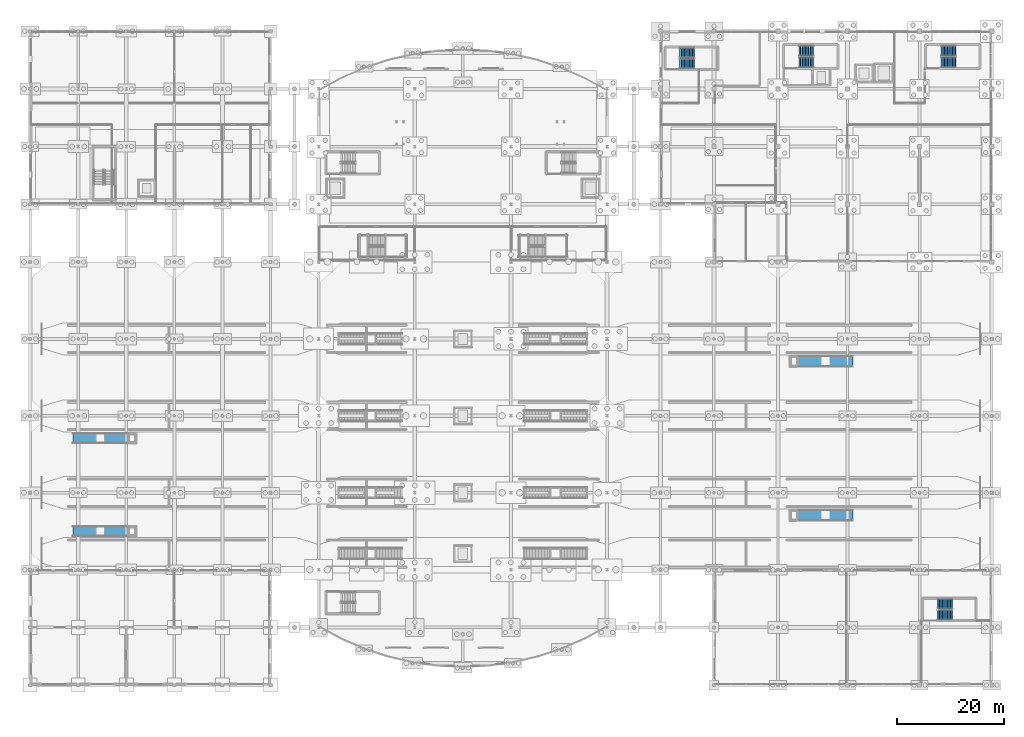
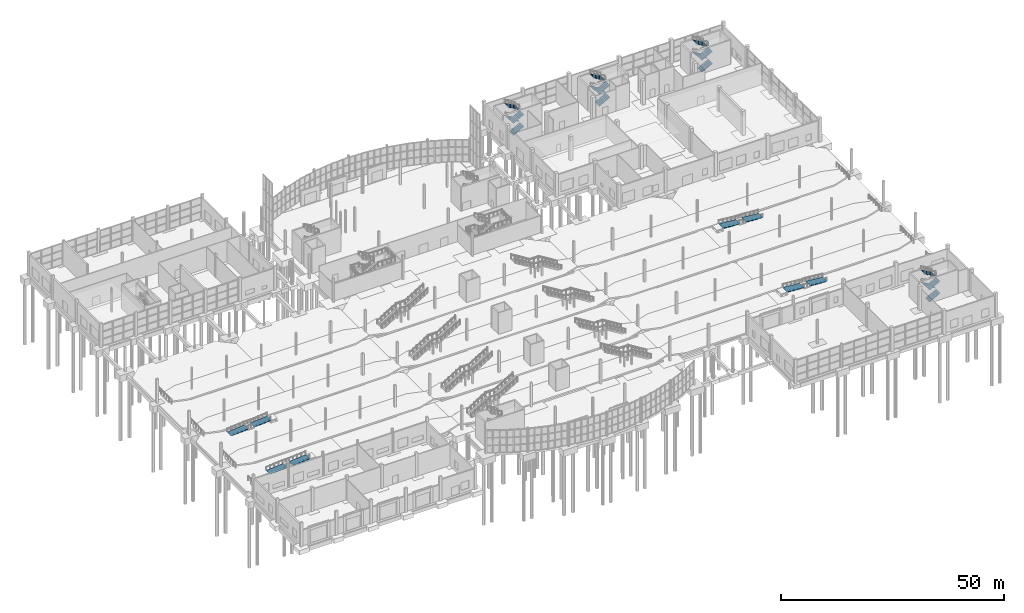
# One storey, part 98 of 115: 16 stair flights, 8 ramp flights, 8 elements without a shape of their own.
"""IFC4 building model written with IfcOpenShell, lengths in metres."""

import ifcopenshell
import ifcopenshell.guid

model = None  # the IFC model being written
_history = None  # IfcOwnerHistory: only IFC2X3 demands one
_inside = {}  # id of a spatial element -> (the spatial element, [elements in it])
_under = {}  # id of a project, library or spatial element -> (it, [spatial elements below it])
_declared = {}  # id of a project -> (the project, [libraries it declares])
_typed = {}  # id of a type object -> (the type object, [elements of that type])
_made_of = {}  # id of a material, layer set ... -> (it, [elements and type objects made of it])


def new_model(schema):
    """Start an empty IFC model of exactly this schema.

    Asked for "IFC4X3", IfcOpenShell would pick the latest addendum, in which some entities
    have other attributes; the version numbers below select the first issue.
    IFC2X3 requires an IfcOwnerHistory on every rooted entity: one is made here for all.
    """
    global model, _history
    if schema == "IFC4X3":
        model = ifcopenshell.file(schema_version=(4, 3, 0, 0))
    else:
        model = ifcopenshell.file(schema=schema)
    _inside.clear()
    _under.clear()
    _declared.clear()
    _typed.clear()
    _made_of.clear()
    _history = None
    if model.schema == "IFC2X3":
        org = make("IfcOrganization", Name="unknown")
        user = make(
            "IfcPersonAndOrganization",
            ThePerson=make("IfcPerson", FamilyName="unknown"),
            TheOrganization=org,
        )
        app = make(
            "IfcApplication",
            ApplicationDeveloper=org,
            Version="unknown",
            ApplicationFullName="unknown",
            ApplicationIdentifier="unknown",
        )
        _history = make(
            "IfcOwnerHistory",
            OwningUser=user,
            OwningApplication=app,
            ChangeAction="ADDED",
            CreationDate=0,
        )
    return model


def make(cls, **values):
    """One entity of the class cls with the attributes given. An attribute that is None is left unset."""
    return model.create_entity(
        cls, **{name: value for name, value in values.items() if value is not None}
    )


def rooted(cls, **values):
    """An entity with a GlobalId (a new one), such as an element, a storey or a relation."""
    return make(cls, GlobalId=ifcopenshell.guid.new(), OwnerHistory=_history, **values)


def si_unit(unit_type, name, prefix=None):
    """IfcSIUnit, for example si_unit("LENGTHUNIT", "METRE", prefix="MILLI")."""
    return make("IfcSIUnit", UnitType=unit_type, Prefix=prefix, Name=name)


def assignment(units):
    """IfcUnitAssignment: the units of a project."""
    return None if units is None else make("IfcUnitAssignment", Units=units)


def point(xyz):
    """IfcCartesianPoint."""
    return None if xyz is None else make("IfcCartesianPoint", Coordinates=xyz)


def direction(xyz):
    """IfcDirection."""
    return None if xyz is None else make("IfcDirection", DirectionRatios=xyz)


def frame(location, z_axis=None, x_axis=None):
    """IfcAxis2Placement3D, a coordinate frame: its origin and axes. An axis left out is left unset."""
    return make(
        "IfcAxis2Placement3D",
        Location=point(location),
        Axis=direction(z_axis),
        RefDirection=direction(x_axis),
    )


def origin():
    """The frame at (0, 0, 0) with its axes left unset."""
    return frame((0.0, 0.0, 0.0))


def place(relative_to, where):
    """IfcLocalPlacement: puts the frame where relative to a parent placement (None: the world)."""
    return make(
        "IfcLocalPlacement", PlacementRelTo=relative_to, RelativePlacement=where
    )


def context(
    kind, dimensions, precision=None, world=None, true_north=None, identifier=None
):
    """IfcGeometricRepresentationContext, for example the 3D "Model" context."""
    return make(
        "IfcGeometricRepresentationContext",
        ContextIdentifier=identifier,
        ContextType=kind,
        CoordinateSpaceDimension=dimensions,
        Precision=precision,
        WorldCoordinateSystem=world,
        TrueNorth=true_north,
    )


def subcontext(parent, identifier, kind, view, scale=None):
    """IfcGeometricRepresentationSubContext, for example "Body" below "Model"."""
    return make(
        "IfcGeometricRepresentationSubContext",
        ContextIdentifier=identifier,
        ContextType=kind,
        ParentContext=parent,
        TargetScale=scale,
        TargetView=view,
    )


def project(units=None, contexts=None):
    """IfcProject with its units and contexts."""
    return rooted(
        "IfcProject",
        Name="project",
        RepresentationContexts=contexts,
        UnitsInContext=assignment(units),
    )


def spatial(cls, under=None, at=None, **own):
    """A site, building, storey or space (cls), placed at a placement, below another one or the project."""
    s = rooted(cls, ObjectPlacement=at, **own)
    if under is not None:
        _under.setdefault(under.id(), (under, []))[1].append(s)
    return s


def polyline(points):
    """IfcPolyline through the points."""
    return make("IfcPolyline", Points=[point(p) for p in points])


def outline(outer, holes=None, kind="AREA"):
    """IfcArbitraryClosedProfileDef: a profile drawn as a closed curve; with holes, ...WithVoids."""
    if holes is None:
        return make("IfcArbitraryClosedProfileDef", ProfileType=kind, OuterCurve=outer)
    return make(
        "IfcArbitraryProfileDefWithVoids",
        ProfileType=kind,
        OuterCurve=outer,
        InnerCurves=holes,
    )


def extrude(swept, where, along, depth):
    """IfcExtrudedAreaSolid: the profile swept, set in the frame where, extruded along a direction by depth."""
    return make(
        "IfcExtrudedAreaSolid",
        SweptArea=swept,
        Position=where,
        ExtrudedDirection=direction(along),
        Depth=depth,
    )


def shape(context_of_items, identifier, shape_type, items):
    """IfcShapeRepresentation: the items that make up one representation, for example the "Body"."""
    return make(
        "IfcShapeRepresentation",
        ContextOfItems=context_of_items,
        RepresentationIdentifier=identifier,
        RepresentationType=shape_type,
        Items=items,
    )


def material(Name=None, Category=None):
    """IfcMaterial."""
    return make("IfcMaterial", Name=Name, Category=Category)


def made_of(thing, what):
    """Note that an element or type object is made of a material, layer set ...; save() writes the relation."""
    if what is not None:
        _made_of.setdefault(what.id(), (what, []))[1].append(thing)
    return thing


def type_object(cls, material=None, **own):
    """A type object (cls), such as IfcWallType, which elements share."""
    return made_of(rooted(cls, **own), material)


def element(
    cls,
    number,
    at=None,
    inside=None,
    cuts=None,
    type_object=None,
    material=None,
    context=None,
    identifier="Body",
    shape_type=None,
    held_by="IfcProductDefinitionShape",
    body=None,
    shapes=None,
    **own,
):
    """One element of the class cls, such as IfcWall. Its Tag is "e" and its number.

    at: its placement. inside: the storey or other place that contains it. cuts: it is an
    opening in that element (IfcRelVoidsElement). A single representation is given by context,
    identifier, shape_type and body (its items); several are given by shapes. held_by: the class
    of the entity that holds the representations. save() writes the other relations.
    """
    e = rooted(cls, Tag="e%d" % number, ObjectPlacement=at, **own)
    if body is not None:
        shapes = [shape(context, identifier, shape_type, body)]
    if shapes is not None:
        e.Representation = make(held_by, Representations=shapes)
    if inside is not None:
        _inside.setdefault(inside.id(), (inside, []))[1].append(e)
    if cuts is not None:
        rooted(
            "IfcRelVoidsElement", RelatingBuildingElement=cuts, RelatedOpeningElement=e
        )
    if type_object is not None:
        _typed.setdefault(type_object.id(), (type_object, []))[1].append(e)
    return made_of(e, material)


def aggregate(whole, parts):
    """IfcRelAggregates: a whole, such as a stair, and the parts it consists of."""
    return rooted("IfcRelAggregates", RelatingObject=whole, RelatedObjects=parts)


def save(model, path):
    """Write the relations noted so far, then the file.

    IfcRelAggregates (storeys below a building ...), IfcRelContainedInSpatialStructure (elements
    in a storey), IfcRelDefinesByType, IfcRelAssociatesMaterial and IfcRelDeclares: one each for
    every whole, place, type object, material and project.
    """
    for whole, parts in _under.values():
        aggregate(whole, parts)
    for where, things in _inside.values():
        rooted(
            "IfcRelContainedInSpatialStructure",
            RelatedElements=things,
            RelatingStructure=where,
        )
    for kind, things in _typed.values():
        rooted("IfcRelDefinesByType", RelatedObjects=things, RelatingType=kind)
    for what, things in _made_of.values():
        rooted("IfcRelAssociatesMaterial", RelatedObjects=things, RelatingMaterial=what)
    for by, libraries in _declared.values():
        rooted("IfcRelDeclares", RelatingContext=by, RelatedDefinitions=libraries)
    model.write(path)


model = new_model("IFC4")

# Units and contexts
model_context = context("Model", 3, precision=1e-05, world=origin(), true_north=direction((0.0, 1.0)))
body_context = subcontext(model_context, "Body", "Model", "MODEL_VIEW")
ifc_project = project(units=[si_unit("LENGTHUNIT", "METRE"), si_unit("AREAUNIT", "SQUARE_METRE"), si_unit("VOLUMEUNIT", "CUBIC_METRE"), si_unit("PLANEANGLEUNIT", "RADIAN"), si_unit("MASSUNIT", "GRAM", prefix="KILO")], contexts=[model_context])

# Site, building, storey
site_placement = place(None, origin())
site = spatial("IfcSite", under=ifc_project, at=site_placement, CompositionType="ELEMENT")
building_placement = place(site_placement, origin())
building = spatial("IfcBuilding", under=site, at=building_placement, Name="Tamarisk Ironworks Central Station", CompositionType="ELEMENT")
storey_placement = place(building_placement, origin())
storey = spatial("IfcBuildingStorey", under=building, at=storey_placement, Name="L00", CompositionType="ELEMENT", Elevation=0.0)

# Stair, stair flights
ifc_material_1 = material(Name="Concrete C35/45", Category="concrete")
stair_type_1 = type_object("IfcStairType", Name="ST-CORE-A", PredefinedType="HALF_TURN_STAIR", material=ifc_material_1)
stair_1_placement = place(storey_placement, origin())
stair_1 = element("IfcStair", 1, at=stair_1_placement, inside=storey, type_object=stair_type_1, Name="L00 Firefighting Exit Stair Core 1", PredefinedType="HALF_TURN_STAIR")
stair_flight_type_1 = type_object("IfcStairFlightType", Name="SF-CORE-A", PredefinedType="STRAIGHT", material=ifc_material_1)
stair_flight_1_placement = place(storey_placement, frame((143.949951171875, 116.574951171875, 0.0), z_axis=(0.0, 0.0, 1.0), x_axis=(1.0, 0.0, 0.0)))
stair_flight_1 = element("IfcStairFlight", 2, at=stair_flight_1_placement, type_object=stair_flight_type_1, Name="ST-C1 flight 1", NumberOfRisers=10, NumberOfTreads=9, PredefinedType="STRAIGHT", RiserHeight=0.165, TreadLength=0.3, context=body_context, shape_type="SweptSolid", body=[
    extrude(outline(polyline([(-0.01806640625, 0.0), (-0.01806640625, 0.107177734375), (0.0, 0.107177734375), (0.0, 0.1650390625), (0.300048828125, 0.1650390625), (0.300048828125, 0.330078125), (0.60009765625, 0.330078125), (0.60009765625, 0.4951171875), (0.89990234375, 0.4951171875), (0.89990234375, 0.659912109375), (1.199951171875, 0.659912109375), (1.199951171875, 0.824951171875), (1.5, 0.824951171875), (1.5, 0.989990234375), (1.800048828125, 0.989990234375), (1.800048828125, 1.155029296875), (2.10009765625, 1.155029296875), (2.10009765625, 1.320068359375), (2.39990234375, 1.320068359375), (2.39990234375, 1.485107421875), (2.699951171875, 1.485107421875), (2.699951171875, 1.64990234375), (2.718017578125, 1.64990234375), (2.718017578125, 1.4599609375), (0.080078125, 0.0), (-0.01806640625, 0.0)])), frame((0.0, 0.97509765625, 0.0), z_axis=(0.0, -1.0, 0.0), x_axis=(1.0, 0.0, 0.0)), (0.0, 0.0, 1.0), 1.949951171875),
])
stair_flight_2_placement = place(storey_placement, frame((146.64990234375, 118.72509765625, 1.64990234375), z_axis=(0.0, 0.0, 1.0), x_axis=(-1.0, 0.0, 0.0)))
stair_flight_2 = element("IfcStairFlight", 3, at=stair_flight_2_placement, type_object=stair_flight_type_1, Name="ST-C1 flight 2", NumberOfRisers=10, NumberOfTreads=9, PredefinedType="STRAIGHT", RiserHeight=0.165, TreadLength=0.3, context=body_context, shape_type="SweptSolid", body=[
    extrude(outline(polyline([(-0.01806640625, 0.0), (-0.01806640625, 0.107177734375), (0.0, 0.107177734375), (0.0, 0.1650390625), (0.300048828125, 0.1650390625), (0.300048828125, 0.330078125), (0.60009765625, 0.330078125), (0.60009765625, 0.4951171875), (0.89990234375, 0.4951171875), (0.89990234375, 0.659912109375), (1.199951171875, 0.659912109375), (1.199951171875, 0.824951171875), (1.5, 0.824951171875), (1.5, 0.989990234375), (1.800048828125, 0.989990234375), (1.800048828125, 1.155029296875), (2.10009765625, 1.155029296875), (2.10009765625, 1.320068359375), (2.39990234375, 1.320068359375), (2.39990234375, 1.485107421875), (2.699951171875, 1.485107421875), (2.699951171875, 1.64990234375), (2.718017578125, 1.64990234375), (2.718017578125, 1.4599609375), (0.080078125, 0.0), (-0.01806640625, 0.0)])), frame((0.0, 0.97509765625, 0.0), z_axis=(0.0, -1.0, 0.0), x_axis=(1.0, 0.0, 0.0)), (0.0, 0.0, 1.0), 1.949951171875),
])
stair_flight_3_placement = place(storey_placement, frame((143.949951171875, 116.574951171875, 3.300048828125), z_axis=(0.0, 0.0, 1.0), x_axis=(1.0, 0.0, 0.0)))
stair_flight_3 = element("IfcStairFlight", 4, at=stair_flight_3_placement, type_object=stair_flight_type_1, Name="ST-C1 flight 3", NumberOfRisers=10, NumberOfTreads=9, PredefinedType="STRAIGHT", RiserHeight=0.165, TreadLength=0.3, context=body_context, shape_type="SweptSolid", body=[
    extrude(outline(polyline([(-0.01806640625, 0.0), (-0.01806640625, 0.107177734375), (0.0, 0.107177734375), (0.0, 0.1650390625), (0.300048828125, 0.1650390625), (0.300048828125, 0.330078125), (0.60009765625, 0.330078125), (0.60009765625, 0.4951171875), (0.89990234375, 0.4951171875), (0.89990234375, 0.659912109375), (1.199951171875, 0.659912109375), (1.199951171875, 0.824951171875), (1.5, 0.824951171875), (1.5, 0.989990234375), (1.800048828125, 0.989990234375), (1.800048828125, 1.155029296875), (2.10009765625, 1.155029296875), (2.10009765625, 1.320068359375), (2.39990234375, 1.320068359375), (2.39990234375, 1.485107421875), (2.699951171875, 1.485107421875), (2.699951171875, 1.64990234375), (2.718017578125, 1.64990234375), (2.718017578125, 1.4599609375), (0.080078125, 0.0), (-0.01806640625, 0.0)])), frame((0.0, 0.97509765625, 0.0), z_axis=(0.0, -1.0, 0.0), x_axis=(1.0, 0.0, 0.0)), (0.0, 0.0, 1.0), 1.949951171875),
])
stair_flight_4_placement = place(storey_placement, frame((146.64990234375, 118.72509765625, 4.949951171875), z_axis=(0.0, 0.0, 1.0), x_axis=(-1.0, 0.0, 0.0)))
stair_flight_4 = element("IfcStairFlight", 5, at=stair_flight_4_placement, type_object=stair_flight_type_1, Name="ST-C1 flight 4", NumberOfRisers=10, NumberOfTreads=9, PredefinedType="STRAIGHT", RiserHeight=0.165, TreadLength=0.3, context=body_context, shape_type="SweptSolid", body=[
    extrude(outline(polyline([(-0.01806640625, 0.0), (-0.01806640625, 0.107177734375), (0.0, 0.107177734375), (0.0, 0.1650390625), (0.300048828125, 0.1650390625), (0.300048828125, 0.330078125), (0.60009765625, 0.330078125), (0.60009765625, 0.4951171875), (0.89990234375, 0.4951171875), (0.89990234375, 0.659912109375), (1.199951171875, 0.659912109375), (1.199951171875, 0.824951171875), (1.5, 0.824951171875), (1.5, 0.989990234375), (1.800048828125, 0.989990234375), (1.800048828125, 1.155029296875), (2.10009765625, 1.155029296875), (2.10009765625, 1.320068359375), (2.39990234375, 1.320068359375), (2.39990234375, 1.485107421875), (2.699951171875, 1.485107421875), (2.699951171875, 1.64990234375), (2.718017578125, 1.64990234375), (2.718017578125, 1.4599609375), (0.080078125, 0.0), (-0.01806640625, 0.0)])), frame((0.0, 0.97509765625, 0.0), z_axis=(0.0, -1.0, 0.0), x_axis=(1.0, 0.0, 0.0)), (0.0, 0.0, 1.0), 1.949951171875),
])
aggregate(stair_1, [stair_flight_1, stair_flight_2, stair_flight_3, stair_flight_4])

stair_2_placement = place(storey_placement, origin())
stair_2 = element("IfcStair", 6, at=stair_2_placement, inside=storey, type_object=stair_type_1, Name="L00 East Operations Exit Stair Core 2", PredefinedType="HALF_TURN_STAIR")
stair_flight_5_placement = place(storey_placement, frame((170.550048828125, 116.574951171875, 0.0), z_axis=(0.0, 0.0, 1.0), x_axis=(1.0, 0.0, 0.0)))
stair_flight_5 = element("IfcStairFlight", 7, at=stair_flight_5_placement, type_object=stair_flight_type_1, Name="ST-C2 flight 1", NumberOfRisers=10, NumberOfTreads=9, PredefinedType="STRAIGHT", RiserHeight=0.165, TreadLength=0.3, context=body_context, shape_type="SweptSolid", body=[
    extrude(outline(polyline([(-0.01806640625, 0.0), (-0.01806640625, 0.107177734375), (0.0, 0.107177734375), (0.0, 0.1650390625), (0.300048828125, 0.1650390625), (0.300048828125, 0.330078125), (0.60009765625, 0.330078125), (0.60009765625, 0.4951171875), (0.89990234375, 0.4951171875), (0.89990234375, 0.659912109375), (1.199951171875, 0.659912109375), (1.199951171875, 0.824951171875), (1.5, 0.824951171875), (1.5, 0.989990234375), (1.800048828125, 0.989990234375), (1.800048828125, 1.155029296875), (2.10009765625, 1.155029296875), (2.10009765625, 1.320068359375), (2.39990234375, 1.320068359375), (2.39990234375, 1.485107421875), (2.699951171875, 1.485107421875), (2.699951171875, 1.64990234375), (2.718017578125, 1.64990234375), (2.718017578125, 1.4599609375), (0.080078125, 0.0), (-0.01806640625, 0.0)])), frame((0.0, 0.97509765625, 0.0), z_axis=(0.0, -1.0, 0.0), x_axis=(1.0, 0.0, 0.0)), (0.0, 0.0, 1.0), 1.949951171875),
])
stair_flight_6_placement = place(storey_placement, frame((173.25, 118.72509765625, 1.64990234375), z_axis=(0.0, 0.0, 1.0), x_axis=(-1.0, 0.0, 0.0)))
stair_flight_6 = element("IfcStairFlight", 8, at=stair_flight_6_placement, type_object=stair_flight_type_1, Name="ST-C2 flight 2", NumberOfRisers=10, NumberOfTreads=9, PredefinedType="STRAIGHT", RiserHeight=0.165, TreadLength=0.3, context=body_context, shape_type="SweptSolid", body=[
    extrude(outline(polyline([(-0.01806640625, 0.0), (-0.01806640625, 0.107177734375), (0.0, 0.107177734375), (0.0, 0.1650390625), (0.300048828125, 0.1650390625), (0.300048828125, 0.330078125), (0.60009765625, 0.330078125), (0.60009765625, 0.4951171875), (0.89990234375, 0.4951171875), (0.89990234375, 0.659912109375), (1.199951171875, 0.659912109375), (1.199951171875, 0.824951171875), (1.5, 0.824951171875), (1.5, 0.989990234375), (1.800048828125, 0.989990234375), (1.800048828125, 1.155029296875), (2.10009765625, 1.155029296875), (2.10009765625, 1.320068359375), (2.39990234375, 1.320068359375), (2.39990234375, 1.485107421875), (2.699951171875, 1.485107421875), (2.699951171875, 1.64990234375), (2.718017578125, 1.64990234375), (2.718017578125, 1.4599609375), (0.080078125, 0.0), (-0.01806640625, 0.0)])), frame((0.0, 0.97509765625, 0.0), z_axis=(0.0, -1.0, 0.0), x_axis=(1.0, 0.0, 0.0)), (0.0, 0.0, 1.0), 1.949951171875),
])
stair_flight_7_placement = place(storey_placement, frame((170.550048828125, 116.574951171875, 3.300048828125), z_axis=(0.0, 0.0, 1.0), x_axis=(1.0, 0.0, 0.0)))
stair_flight_7 = element("IfcStairFlight", 9, at=stair_flight_7_placement, type_object=stair_flight_type_1, Name="ST-C2 flight 3", NumberOfRisers=10, NumberOfTreads=9, PredefinedType="STRAIGHT", RiserHeight=0.165, TreadLength=0.3, context=body_context, shape_type="SweptSolid", body=[
    extrude(outline(polyline([(-0.01806640625, 0.0), (-0.01806640625, 0.107177734375), (0.0, 0.107177734375), (0.0, 0.1650390625), (0.300048828125, 0.1650390625), (0.300048828125, 0.330078125), (0.60009765625, 0.330078125), (0.60009765625, 0.4951171875), (0.89990234375, 0.4951171875), (0.89990234375, 0.659912109375), (1.199951171875, 0.659912109375), (1.199951171875, 0.824951171875), (1.5, 0.824951171875), (1.5, 0.989990234375), (1.800048828125, 0.989990234375), (1.800048828125, 1.155029296875), (2.10009765625, 1.155029296875), (2.10009765625, 1.320068359375), (2.39990234375, 1.320068359375), (2.39990234375, 1.485107421875), (2.699951171875, 1.485107421875), (2.699951171875, 1.64990234375), (2.718017578125, 1.64990234375), (2.718017578125, 1.4599609375), (0.080078125, 0.0), (-0.01806640625, 0.0)])), frame((0.0, 0.97509765625, 0.0), z_axis=(0.0, -1.0, 0.0), x_axis=(1.0, 0.0, 0.0)), (0.0, 0.0, 1.0), 1.949951171875),
])
stair_flight_8_placement = place(storey_placement, frame((173.25, 118.72509765625, 4.949951171875), z_axis=(0.0, 0.0, 1.0), x_axis=(-1.0, 0.0, 0.0)))
stair_flight_8 = element("IfcStairFlight", 10, at=stair_flight_8_placement, type_object=stair_flight_type_1, Name="ST-C2 flight 4", NumberOfRisers=10, NumberOfTreads=9, PredefinedType="STRAIGHT", RiserHeight=0.165, TreadLength=0.3, context=body_context, shape_type="SweptSolid", body=[
    extrude(outline(polyline([(-0.01806640625, 0.0), (-0.01806640625, 0.107177734375), (0.0, 0.107177734375), (0.0, 0.1650390625), (0.300048828125, 0.1650390625), (0.300048828125, 0.330078125), (0.60009765625, 0.330078125), (0.60009765625, 0.4951171875), (0.89990234375, 0.4951171875), (0.89990234375, 0.659912109375), (1.199951171875, 0.659912109375), (1.199951171875, 0.824951171875), (1.5, 0.824951171875), (1.5, 0.989990234375), (1.800048828125, 0.989990234375), (1.800048828125, 1.155029296875), (2.10009765625, 1.155029296875), (2.10009765625, 1.320068359375), (2.39990234375, 1.320068359375), (2.39990234375, 1.485107421875), (2.699951171875, 1.485107421875), (2.699951171875, 1.64990234375), (2.718017578125, 1.64990234375), (2.718017578125, 1.4599609375), (0.080078125, 0.0), (-0.01806640625, 0.0)])), frame((0.0, 0.97509765625, 0.0), z_axis=(0.0, -1.0, 0.0), x_axis=(1.0, 0.0, 0.0)), (0.0, 0.0, 1.0), 1.949951171875),
])
aggregate(stair_2, [stair_flight_5, stair_flight_6, stair_flight_7, stair_flight_8])

stair_type_2 = type_object("IfcStairType", Name="ST-CORE-C", PredefinedType="HALF_TURN_STAIR", material=ifc_material_1)
stair_3_placement = place(storey_placement, origin())
stair_3 = element("IfcStair", 11, at=stair_3_placement, inside=storey, type_object=stair_type_2, Name="L00 Courtyard Exit Stair Core 5", PredefinedType="HALF_TURN_STAIR")
stair_flight_type_2 = type_object("IfcStairFlightType", Name="SF-CORE-C", PredefinedType="STRAIGHT", material=ifc_material_1)
stair_flight_9_placement = place(storey_placement, frame((121.60009765625, 116.324951171875, 0.0), z_axis=(0.0, 0.0, 1.0), x_axis=(1.0, 0.0, 0.0)))
stair_flight_9 = element("IfcStairFlight", 12, at=stair_flight_9_placement, type_object=stair_flight_type_2, Name="ST-C5 flight 1", NumberOfRisers=10, NumberOfTreads=9, PredefinedType="STRAIGHT", RiserHeight=0.165, TreadLength=0.3, context=body_context, shape_type="SweptSolid", body=[
    extrude(outline(polyline([(-0.01806640625, 0.0), (-0.01806640625, 0.107177734375), (0.0, 0.107177734375), (0.0, 0.1650390625), (0.300048828125, 0.1650390625), (0.300048828125, 0.330078125), (0.60009765625, 0.330078125), (0.60009765625, 0.4951171875), (0.89990234375, 0.4951171875), (0.89990234375, 0.659912109375), (1.199951171875, 0.659912109375), (1.199951171875, 0.824951171875), (1.5, 0.824951171875), (1.5, 0.989990234375), (1.800048828125, 0.989990234375), (1.800048828125, 1.155029296875), (2.10009765625, 1.155029296875), (2.10009765625, 1.320068359375), (2.39990234375, 1.320068359375), (2.39990234375, 1.485107421875), (2.699951171875, 1.485107421875), (2.699951171875, 1.64990234375), (2.718017578125, 1.64990234375), (2.718017578125, 1.4599609375), (0.080078125, 0.0), (-0.01806640625, 0.0)])), frame((0.0, 0.925048828125, 0.0), z_axis=(0.0, -1.0, 0.0), x_axis=(1.0, 0.0, 0.0)), (0.0, 0.0, 1.0), 1.85009765625),
])
stair_flight_10_placement = place(storey_placement, frame((124.300048828125, 118.375, 1.64990234375), z_axis=(0.0, 0.0, 1.0), x_axis=(-1.0, 0.0, 0.0)))
stair_flight_10 = element("IfcStairFlight", 13, at=stair_flight_10_placement, type_object=stair_flight_type_2, Name="ST-C5 flight 2", NumberOfRisers=10, NumberOfTreads=9, PredefinedType="STRAIGHT", RiserHeight=0.165, TreadLength=0.3, context=body_context, shape_type="SweptSolid", body=[
    extrude(outline(polyline([(-0.01806640625, 0.0), (-0.01806640625, 0.107177734375), (0.0, 0.107177734375), (0.0, 0.1650390625), (0.300048828125, 0.1650390625), (0.300048828125, 0.330078125), (0.60009765625, 0.330078125), (0.60009765625, 0.4951171875), (0.89990234375, 0.4951171875), (0.89990234375, 0.659912109375), (1.199951171875, 0.659912109375), (1.199951171875, 0.824951171875), (1.5, 0.824951171875), (1.5, 0.989990234375), (1.800048828125, 0.989990234375), (1.800048828125, 1.155029296875), (2.10009765625, 1.155029296875), (2.10009765625, 1.320068359375), (2.39990234375, 1.320068359375), (2.39990234375, 1.485107421875), (2.699951171875, 1.485107421875), (2.699951171875, 1.64990234375), (2.718017578125, 1.64990234375), (2.718017578125, 1.4599609375), (0.080078125, 0.0), (-0.01806640625, 0.0)])), frame((0.0, 0.925048828125, 0.0), z_axis=(0.0, -1.0, 0.0), x_axis=(1.0, 0.0, 0.0)), (0.0, 0.0, 1.0), 1.85009765625),
])
stair_flight_11_placement = place(storey_placement, frame((121.60009765625, 116.324951171875, 3.300048828125), z_axis=(0.0, 0.0, 1.0), x_axis=(1.0, 0.0, 0.0)))
stair_flight_11 = element("IfcStairFlight", 14, at=stair_flight_11_placement, type_object=stair_flight_type_2, Name="ST-C5 flight 3", NumberOfRisers=10, NumberOfTreads=9, PredefinedType="STRAIGHT", RiserHeight=0.165, TreadLength=0.3, context=body_context, shape_type="SweptSolid", body=[
    extrude(outline(polyline([(-0.01806640625, 0.0), (-0.01806640625, 0.107177734375), (0.0, 0.107177734375), (0.0, 0.1650390625), (0.300048828125, 0.1650390625), (0.300048828125, 0.330078125), (0.60009765625, 0.330078125), (0.60009765625, 0.4951171875), (0.89990234375, 0.4951171875), (0.89990234375, 0.659912109375), (1.199951171875, 0.659912109375), (1.199951171875, 0.824951171875), (1.5, 0.824951171875), (1.5, 0.989990234375), (1.800048828125, 0.989990234375), (1.800048828125, 1.155029296875), (2.10009765625, 1.155029296875), (2.10009765625, 1.320068359375), (2.39990234375, 1.320068359375), (2.39990234375, 1.485107421875), (2.699951171875, 1.485107421875), (2.699951171875, 1.64990234375), (2.718017578125, 1.64990234375), (2.718017578125, 1.4599609375), (0.080078125, 0.0), (-0.01806640625, 0.0)])), frame((0.0, 0.925048828125, 0.0), z_axis=(0.0, -1.0, 0.0), x_axis=(1.0, 0.0, 0.0)), (0.0, 0.0, 1.0), 1.85009765625),
])
stair_flight_12_placement = place(storey_placement, frame((124.300048828125, 118.375, 4.949951171875), z_axis=(0.0, 0.0, 1.0), x_axis=(-1.0, 0.0, 0.0)))
stair_flight_12 = element("IfcStairFlight", 15, at=stair_flight_12_placement, type_object=stair_flight_type_2, Name="ST-C5 flight 4", NumberOfRisers=10, NumberOfTreads=9, PredefinedType="STRAIGHT", RiserHeight=0.165, TreadLength=0.3, context=body_context, shape_type="SweptSolid", body=[
    extrude(outline(polyline([(-0.01806640625, 0.0), (-0.01806640625, 0.107177734375), (0.0, 0.107177734375), (0.0, 0.1650390625), (0.300048828125, 0.1650390625), (0.300048828125, 0.330078125), (0.60009765625, 0.330078125), (0.60009765625, 0.4951171875), (0.89990234375, 0.4951171875), (0.89990234375, 0.659912109375), (1.199951171875, 0.659912109375), (1.199951171875, 0.824951171875), (1.5, 0.824951171875), (1.5, 0.989990234375), (1.800048828125, 0.989990234375), (1.800048828125, 1.155029296875), (2.10009765625, 1.155029296875), (2.10009765625, 1.320068359375), (2.39990234375, 1.320068359375), (2.39990234375, 1.485107421875), (2.699951171875, 1.485107421875), (2.699951171875, 1.64990234375), (2.718017578125, 1.64990234375), (2.718017578125, 1.4599609375), (0.080078125, 0.0), (-0.01806640625, 0.0)])), frame((0.0, 0.925048828125, 0.0), z_axis=(0.0, -1.0, 0.0), x_axis=(1.0, 0.0, 0.0)), (0.0, 0.0, 1.0), 1.85009765625),
])
aggregate(stair_3, [stair_flight_9, stair_flight_10, stair_flight_11, stair_flight_12])

stair_type_3 = type_object("IfcStairType", Name="ST-CORE-D", PredefinedType="HALF_TURN_STAIR", material=ifc_material_1)
stair_4_placement = place(storey_placement, origin())
stair_4 = element("IfcStair", 16, at=stair_4_placement, inside=storey, type_object=stair_type_3, Name="L00 South-East Operations Annex Exit Stair Core 7", PredefinedType="HALF_TURN_STAIR")
stair_flight_type_3 = type_object("IfcStairFlightType", Name="SF-CORE-D", PredefinedType="STRAIGHT", material=ifc_material_1)
stair_flight_13_placement = place(storey_placement, frame((169.89990234375, 13.125, 0.0), z_axis=(0.0, 0.0, 1.0), x_axis=(1.0, 0.0, 0.0)))
stair_flight_13 = element("IfcStairFlight", 17, at=stair_flight_13_placement, type_object=stair_flight_type_3, Name="ST-C7 flight 1", NumberOfRisers=10, NumberOfTreads=9, PredefinedType="STRAIGHT", RiserHeight=0.165, TreadLength=0.3, context=body_context, shape_type="SweptSolid", body=[
    extrude(outline(polyline([(-0.01806640625, 0.0), (-0.01806640625, 0.107177734375), (0.0, 0.107177734375), (0.0, 0.1650390625), (0.300048828125, 0.1650390625), (0.300048828125, 0.330078125), (0.60009765625, 0.330078125), (0.60009765625, 0.4951171875), (0.89990234375, 0.4951171875), (0.89990234375, 0.659912109375), (1.199951171875, 0.659912109375), (1.199951171875, 0.824951171875), (1.5, 0.824951171875), (1.5, 0.989990234375), (1.800048828125, 0.989990234375), (1.800048828125, 1.155029296875), (2.10009765625, 1.155029296875), (2.10009765625, 1.320068359375), (2.39990234375, 1.320068359375), (2.39990234375, 1.485107421875), (2.699951171875, 1.485107421875), (2.699951171875, 1.64990234375), (2.718017578125, 1.64990234375), (2.718017578125, 1.4599609375), (0.080078125, 0.0), (-0.01806640625, 0.0)])), frame((0.0, 0.925048828125, 0.0), z_axis=(0.0, -1.0, 0.0), x_axis=(1.0, 0.0, 0.0)), (0.0, 0.0, 1.0), 1.85009765625),
])
stair_flight_14_placement = place(storey_placement, frame((172.60009765625, 15.175048828125, 1.64990234375), z_axis=(0.0, 0.0, 1.0), x_axis=(-1.0, 0.0, 0.0)))
stair_flight_14 = element("IfcStairFlight", 18, at=stair_flight_14_placement, type_object=stair_flight_type_3, Name="ST-C7 flight 2", NumberOfRisers=10, NumberOfTreads=9, PredefinedType="STRAIGHT", RiserHeight=0.165, TreadLength=0.3, context=body_context, shape_type="SweptSolid", body=[
    extrude(outline(polyline([(-0.01806640625, 0.0), (-0.01806640625, 0.107177734375), (0.0, 0.107177734375), (0.0, 0.1650390625), (0.300048828125, 0.1650390625), (0.300048828125, 0.330078125), (0.60009765625, 0.330078125), (0.60009765625, 0.4951171875), (0.89990234375, 0.4951171875), (0.89990234375, 0.659912109375), (1.199951171875, 0.659912109375), (1.199951171875, 0.824951171875), (1.5, 0.824951171875), (1.5, 0.989990234375), (1.800048828125, 0.989990234375), (1.800048828125, 1.155029296875), (2.10009765625, 1.155029296875), (2.10009765625, 1.320068359375), (2.39990234375, 1.320068359375), (2.39990234375, 1.485107421875), (2.699951171875, 1.485107421875), (2.699951171875, 1.64990234375), (2.718017578125, 1.64990234375), (2.718017578125, 1.4599609375), (0.080078125, 0.0), (-0.01806640625, 0.0)])), frame((0.0, 0.925048828125, 0.0), z_axis=(0.0, -1.0, 0.0), x_axis=(1.0, 0.0, 0.0)), (0.0, 0.0, 1.0), 1.85009765625),
])
stair_flight_15_placement = place(storey_placement, frame((169.89990234375, 13.125, 3.300048828125), z_axis=(0.0, 0.0, 1.0), x_axis=(1.0, 0.0, 0.0)))
stair_flight_15 = element("IfcStairFlight", 19, at=stair_flight_15_placement, type_object=stair_flight_type_3, Name="ST-C7 flight 3", NumberOfRisers=10, NumberOfTreads=9, PredefinedType="STRAIGHT", RiserHeight=0.165, TreadLength=0.3, context=body_context, shape_type="SweptSolid", body=[
    extrude(outline(polyline([(-0.01806640625, 0.0), (-0.01806640625, 0.107177734375), (0.0, 0.107177734375), (0.0, 0.1650390625), (0.300048828125, 0.1650390625), (0.300048828125, 0.330078125), (0.60009765625, 0.330078125), (0.60009765625, 0.4951171875), (0.89990234375, 0.4951171875), (0.89990234375, 0.659912109375), (1.199951171875, 0.659912109375), (1.199951171875, 0.824951171875), (1.5, 0.824951171875), (1.5, 0.989990234375), (1.800048828125, 0.989990234375), (1.800048828125, 1.155029296875), (2.10009765625, 1.155029296875), (2.10009765625, 1.320068359375), (2.39990234375, 1.320068359375), (2.39990234375, 1.485107421875), (2.699951171875, 1.485107421875), (2.699951171875, 1.64990234375), (2.718017578125, 1.64990234375), (2.718017578125, 1.4599609375), (0.080078125, 0.0), (-0.01806640625, 0.0)])), frame((0.0, 0.925048828125, 0.0), z_axis=(0.0, -1.0, 0.0), x_axis=(1.0, 0.0, 0.0)), (0.0, 0.0, 1.0), 1.85009765625),
])
stair_flight_16_placement = place(storey_placement, frame((172.60009765625, 15.175048828125, 4.949951171875), z_axis=(0.0, 0.0, 1.0), x_axis=(-1.0, 0.0, 0.0)))
stair_flight_16 = element("IfcStairFlight", 20, at=stair_flight_16_placement, type_object=stair_flight_type_3, Name="ST-C7 flight 4", NumberOfRisers=10, NumberOfTreads=9, PredefinedType="STRAIGHT", RiserHeight=0.165, TreadLength=0.3, context=body_context, shape_type="SweptSolid", body=[
    extrude(outline(polyline([(-0.01806640625, 0.0), (-0.01806640625, 0.107177734375), (0.0, 0.107177734375), (0.0, 0.1650390625), (0.300048828125, 0.1650390625), (0.300048828125, 0.330078125), (0.60009765625, 0.330078125), (0.60009765625, 0.4951171875), (0.89990234375, 0.4951171875), (0.89990234375, 0.659912109375), (1.199951171875, 0.659912109375), (1.199951171875, 0.824951171875), (1.5, 0.824951171875), (1.5, 0.989990234375), (1.800048828125, 0.989990234375), (1.800048828125, 1.155029296875), (2.10009765625, 1.155029296875), (2.10009765625, 1.320068359375), (2.39990234375, 1.320068359375), (2.39990234375, 1.485107421875), (2.699951171875, 1.485107421875), (2.699951171875, 1.64990234375), (2.718017578125, 1.64990234375), (2.718017578125, 1.4599609375), (0.080078125, 0.0), (-0.01806640625, 0.0)])), frame((0.0, 0.925048828125, 0.0), z_axis=(0.0, -1.0, 0.0), x_axis=(1.0, 0.0, 0.0)), (0.0, 0.0, 1.0), 1.85009765625),
])
aggregate(stair_4, [stair_flight_13, stair_flight_14, stair_flight_15, stair_flight_16])

# Ramp, ramp flights
ifc_material_2 = material(Name="Concrete C40/50", Category="concrete")
ramp_type_1 = type_object("IfcRampType", Name="RM-PLAT-A", PredefinedType="TWO_STRAIGHT_RUN_RAMP", material=ifc_material_2)
ramp_1_placement = place(storey_placement, origin())
ramp_1 = element("IfcRamp", 21, at=ramp_1_placement, inside=storey, type_object=ramp_type_1, Name="Platform 1 West Accessible Ramp", PredefinedType="TWO_STRAIGHT_RUN_RAMP")
ramp_flight_type_1 = type_object("IfcRampFlightType", Name="RF-PLAT-A", PredefinedType="STRAIGHT", material=ifc_material_2)
ramp_flight_1_placement = place(storey_placement, frame((8.0, 28.800048828125, 0.0), z_axis=(0.0, 0.0, 1.0), x_axis=(1.0, 0.0, 0.0)))
ramp_flight_1 = element("IfcRampFlight", 22, at=ramp_flight_1_placement, type_object=ramp_flight_type_1, Name="RMP1 flight 1", PredefinedType="STRAIGHT", context=body_context, shape_type="SweptSolid", body=[
    extrude(outline(polyline([(-0.014892578125, -0.02001953125), (-0.014892578125, 0.0), (0.0, 0.0), (4.320068359375, 0.360107421875), (4.3349609375, 0.360107421875), (4.3349609375, 0.179443359375), (2.166015625, 0.0), (0.02001953125, -0.02001953125), (-0.014892578125, -0.02001953125)])), frame((0.0, 0.89990234375, 0.0), z_axis=(0.0, -1.0, 0.0), x_axis=(1.0, 0.0, 0.0)), (0.0, 0.0, 1.0), 1.800048828125),
])
ramp_flight_2_placement = place(storey_placement, frame((13.919921875, 28.800048828125, 0.360107421875), z_axis=(0.0, 0.0, 1.0), x_axis=(1.0, 0.0, 0.0)))
ramp_flight_2 = element("IfcRampFlight", 23, at=ramp_flight_2_placement, type_object=ramp_flight_type_1, Name="RMP1 flight 2", PredefinedType="STRAIGHT", context=body_context, shape_type="SweptSolid", body=[
    extrude(outline(polyline([(-0.014892578125, -0.02001953125), (-0.014892578125, 0.0), (0.0, 0.0), (4.320068359375, 0.360107421875), (4.3349609375, 0.360107421875), (4.3349609375, 0.179443359375), (2.166015625, 0.0), (0.02001953125, -0.02001953125), (-0.014892578125, -0.02001953125)])), frame((0.0, 0.89990234375, 0.0), z_axis=(0.0, -1.0, 0.0), x_axis=(1.0, 0.0, 0.0)), (0.0, 0.0, 1.0), 1.800048828125),
])
aggregate(ramp_1, [ramp_flight_1, ramp_flight_2])

ramp_2_placement = place(storey_placement, origin())
ramp_2 = element("IfcRamp", 24, at=ramp_2_placement, inside=storey, type_object=ramp_type_1, Name="Platform 3 West Accessible Ramp", PredefinedType="TWO_STRAIGHT_RUN_RAMP")
ramp_flight_3_placement = place(storey_placement, frame((8.0, 46.199951171875, 0.0), z_axis=(0.0, 0.0, 1.0), x_axis=(1.0, 0.0, 0.0)))
ramp_flight_3 = element("IfcRampFlight", 25, at=ramp_flight_3_placement, type_object=ramp_flight_type_1, Name="RMP1 flight 1", PredefinedType="STRAIGHT", context=body_context, shape_type="SweptSolid", body=[
    extrude(outline(polyline([(-0.014892578125, -0.02001953125), (-0.014892578125, 0.0), (0.0, 0.0), (4.320068359375, 0.360107421875), (4.3349609375, 0.360107421875), (4.3349609375, 0.179443359375), (2.166015625, 0.0), (0.02001953125, -0.02001953125), (-0.014892578125, -0.02001953125)])), frame((0.0, 0.89990234375, 0.0), z_axis=(0.0, -1.0, 0.0), x_axis=(1.0, 0.0, 0.0)), (0.0, 0.0, 1.0), 1.800048828125),
])
ramp_flight_4_placement = place(storey_placement, frame((13.919921875, 46.199951171875, 0.360107421875), z_axis=(0.0, 0.0, 1.0), x_axis=(1.0, 0.0, 0.0)))
ramp_flight_4 = element("IfcRampFlight", 26, at=ramp_flight_4_placement, type_object=ramp_flight_type_1, Name="RMP1 flight 2", PredefinedType="STRAIGHT", context=body_context, shape_type="SweptSolid", body=[
    extrude(outline(polyline([(-0.014892578125, -0.02001953125), (-0.014892578125, 0.0), (0.0, 0.0), (4.320068359375, 0.360107421875), (4.3349609375, 0.360107421875), (4.3349609375, 0.179443359375), (2.166015625, 0.0), (0.02001953125, -0.02001953125), (-0.014892578125, -0.02001953125)])), frame((0.0, 0.89990234375, 0.0), z_axis=(0.0, -1.0, 0.0), x_axis=(1.0, 0.0, 0.0)), (0.0, 0.0, 1.0), 1.800048828125),
])
aggregate(ramp_2, [ramp_flight_3, ramp_flight_4])

ramp_type_2 = type_object("IfcRampType", Name="RM-PLAT-B", PredefinedType="HALF_TURN_RAMP", material=ifc_material_2)
ramp_3_placement = place(storey_placement, origin())
ramp_3 = element("IfcRamp", 27, at=ramp_3_placement, inside=storey, type_object=ramp_type_2, Name="Platform 2 East Accessible Ramp", PredefinedType="TWO_STRAIGHT_RUN_RAMP")
ramp_flight_type_2 = type_object("IfcRampFlightType", Name="RF-PLAT-B", PredefinedType="STRAIGHT", material=ifc_material_2)
ramp_flight_5_placement = place(storey_placement, frame((154.0, 31.800048828125, 0.0), z_axis=(0.0, 0.0, 1.0), x_axis=(-1.0, 0.0, 0.0)))
ramp_flight_5 = element("IfcRampFlight", 28, at=ramp_flight_5_placement, type_object=ramp_flight_type_2, Name="RMP2 flight 1", PredefinedType="STRAIGHT", context=body_context, shape_type="SweptSolid", body=[
    extrude(outline(polyline([(-0.014892578125, -0.02001953125), (-0.014892578125, 0.0), (0.0, 0.0), (4.320068359375, 0.360107421875), (4.3349609375, 0.360107421875), (4.3349609375, 0.179443359375), (2.166015625, 0.0), (0.02001953125, -0.02001953125), (-0.014892578125, -0.02001953125)])), frame((0.0, 1.0, 0.0), z_axis=(0.0, -1.0, 0.0), x_axis=(1.0, 0.0, 0.0)), (0.0, 0.0, 1.0), 2.0),
])
ramp_flight_6_placement = place(storey_placement, frame((148.080078125, 31.800048828125, 0.360107421875), z_axis=(0.0, 0.0, 1.0), x_axis=(-1.0, 0.0, 0.0)))
ramp_flight_6 = element("IfcRampFlight", 29, at=ramp_flight_6_placement, type_object=ramp_flight_type_2, Name="RMP2 flight 2", PredefinedType="STRAIGHT", context=body_context, shape_type="SweptSolid", body=[
    extrude(outline(polyline([(-0.014892578125, -0.02001953125), (-0.014892578125, 0.0), (0.0, 0.0), (4.320068359375, 0.360107421875), (4.3349609375, 0.360107421875), (4.3349609375, 0.179443359375), (2.166015625, 0.0), (0.02001953125, -0.02001953125), (-0.014892578125, -0.02001953125)])), frame((0.0, 1.0, 0.0), z_axis=(0.0, -1.0, 0.0), x_axis=(1.0, 0.0, 0.0)), (0.0, 0.0, 1.0), 2.0),
])
aggregate(ramp_3, [ramp_flight_5, ramp_flight_6])

ramp_4_placement = place(storey_placement, origin())
ramp_4 = element("IfcRamp", 30, at=ramp_4_placement, inside=storey, type_object=ramp_type_2, Name="Platform 4 East Accessible Ramp", PredefinedType="TWO_STRAIGHT_RUN_RAMP")
ramp_flight_7_placement = place(storey_placement, frame((154.0, 60.60009765625, 0.0), z_axis=(0.0, 0.0, 1.0), x_axis=(-1.0, 0.0, 0.0)))
ramp_flight_7 = element("IfcRampFlight", 31, at=ramp_flight_7_placement, type_object=ramp_flight_type_2, Name="RMP2 flight 1", PredefinedType="STRAIGHT", context=body_context, shape_type="SweptSolid", body=[
    extrude(outline(polyline([(-0.014892578125, -0.02001953125), (-0.014892578125, 0.0), (0.0, 0.0), (4.320068359375, 0.360107421875), (4.3349609375, 0.360107421875), (4.3349609375, 0.179443359375), (2.166015625, 0.0), (0.02001953125, -0.02001953125), (-0.014892578125, -0.02001953125)])), frame((0.0, 1.0, 0.0), z_axis=(0.0, -1.0, 0.0), x_axis=(1.0, 0.0, 0.0)), (0.0, 0.0, 1.0), 2.0),
])
ramp_flight_8_placement = place(storey_placement, frame((148.080078125, 60.60009765625, 0.360107421875), z_axis=(0.0, 0.0, 1.0), x_axis=(-1.0, 0.0, 0.0)))
ramp_flight_8 = element("IfcRampFlight", 32, at=ramp_flight_8_placement, type_object=ramp_flight_type_2, Name="RMP2 flight 2", PredefinedType="STRAIGHT", context=body_context, shape_type="SweptSolid", body=[
    extrude(outline(polyline([(-0.014892578125, -0.02001953125), (-0.014892578125, 0.0), (0.0, 0.0), (4.320068359375, 0.360107421875), (4.3349609375, 0.360107421875), (4.3349609375, 0.179443359375), (2.166015625, 0.0), (0.02001953125, -0.02001953125), (-0.014892578125, -0.02001953125)])), frame((0.0, 1.0, 0.0), z_axis=(0.0, -1.0, 0.0), x_axis=(1.0, 0.0, 0.0)), (0.0, 0.0, 1.0), 2.0),
])
aggregate(ramp_4, [ramp_flight_7, ramp_flight_8])

save(model, "model.ifc")
